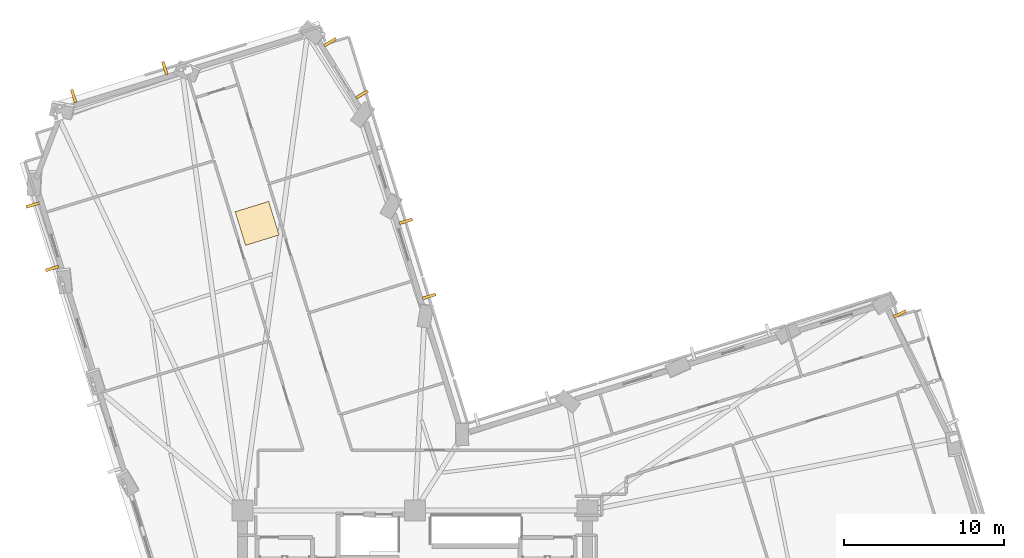
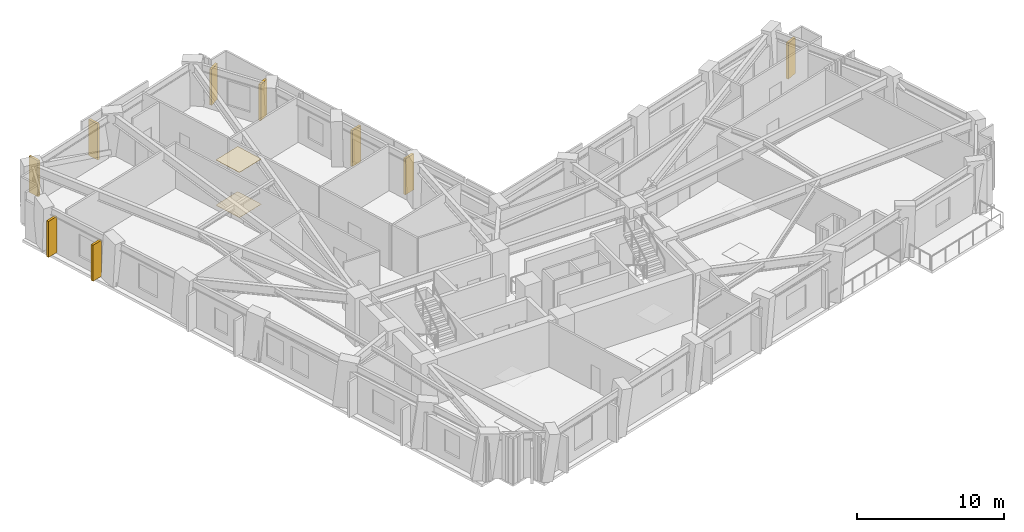
# One storey, part 13 of 14: 9 shading devices, 2 coverings.
"""IFC4 building model written with IfcOpenShell, lengths in metres."""

from ifc_helpers import new_model, si_unit, direction, frame, origin, origin_2d, place, context, subcontext, project, spatial, rectangle, extrude, material, layer, layer_set, type_object, element, save


model = new_model("IFC4")

# Units and contexts
model_context = context("Model", 3, precision=1e-05, world=origin(), true_north=direction((0.0, 1.0)))
body_context = subcontext(model_context, "Body", "Model", "MODEL_VIEW")
ifc_project = project(units=[si_unit("LENGTHUNIT", "METRE"), si_unit("AREAUNIT", "SQUARE_METRE"), si_unit("VOLUMEUNIT", "CUBIC_METRE"), si_unit("PLANEANGLEUNIT", "RADIAN"), si_unit("MASSUNIT", "GRAM", prefix="KILO")], contexts=[model_context])

# Site, building, storey
site_placement = place(None, origin())
site = spatial("IfcSite", under=ifc_project, at=site_placement, CompositionType="ELEMENT")
building_placement = place(site_placement, origin())
building = spatial("IfcBuilding", under=site, at=building_placement, Name="Gaonmaruhae Medical Tower", CompositionType="ELEMENT")
storey_placement = place(building_placement, frame((0.0, 0.0, 96.39990234375)))
storey = spatial("IfcBuildingStorey", under=building, at=storey_placement, Name="L22", CompositionType="ELEMENT", Elevation=96.39990234375)

# Coverings
ifc_material_1 = material(Name="Acoustic mineral ceiling tile", Category="finish")
ifc_layer_1 = layer(ifc_material_1, 0.02490234375)
ifc_layer_set_1 = layer_set([ifc_layer_1], Name="Acoustic mineral ceiling tile")
covering_type_1 = type_object("IfcCoveringType", Name="CLG-01 Antimicrobial Acoustic Mineral Ceiling", PredefinedType="CEILING", material=ifc_layer_set_1)
covering_1_placement = place(storey_placement, frame((14.9169921875, 34.771484375, 3.755126953125), z_axis=(0.0, 0.0, 1.0), x_axis=(0.955793014798, 0.294040325232, 0.0)))
element("IfcCovering", 1, at=covering_1_placement, inside=storey, type_object=covering_type_1, Name="L22 Clinical Corridor Acoustic Ceiling", PredefinedType="CEILING", context=body_context, shape_type="SweptSolid", body=[
    extrude(rectangle(XDim=2.199951171875, YDim=2.199951171875, at=origin_2d()), origin(), (0.0, 0.0, 1.0), 0.02490234375),
])
ifc_material_2 = material(Name="Seamless clinical vinyl flooring", Category="finish")
ifc_layer_2 = layer(ifc_material_2, 0.014892578125)
ifc_layer_set_2 = layer_set([ifc_layer_2], Name="Seamless clinical vinyl flooring")
covering_type_2 = type_object("IfcCoveringType", Name="FLR-01 Seamless Clinical Antistatic Vinyl Flooring", PredefinedType="FLOORING", material=ifc_layer_set_2)
covering_2_placement = place(storey_placement, frame((14.9169921875, 34.771484375, 0.00048828125), z_axis=(0.0, 0.0, 1.0), x_axis=(0.955793014798, 0.294040325232, 0.0)))
element("IfcCovering", 2, at=covering_2_placement, inside=storey, type_object=covering_type_2, Name="L22 Clinical Corridor Vinyl Flooring", PredefinedType="FLOORING", context=body_context, shape_type="SweptSolid", body=[
    extrude(rectangle(XDim=2.199951171875, YDim=2.199951171875, at=origin_2d()), origin(), (0.0, 0.0, 1.0), 0.014892578125),
])

# Shading devices
ifc_material_3 = material(Name="Pigmented coral precast concrete C45/55", Category="concrete")
shading_device_type = type_object("IfcShadingDeviceType", Name="SD-FIN1 Tower Vertical Coral Precast Shading Fin", PredefinedType="USERDEFINED", material=ifc_material_3)
for number, where, z_axis, x_axis, name in (
    (3, (55.14501953125, 29.10009765625, 0.08251953125), (0.0, 0.0, 1.0), (0.436660480774, -0.899626380522, 0.0), "L22 Vertical Coral Precast Shading Fin E02"),
    (4, (24.22998046875, 34.90283203125, 0.08251953125), (0.0, 0.0, 1.0), (0.294040325232, -0.955793014798, 0.0), "L22 Vertical Coral Precast Shading Fin NE01"),
    (5, (25.677490234375, 30.19775390625, 0.08251953125), (0.0, 0.0, 1.0), (0.294040325232, -0.955793014798, 0.0), "L22 Vertical Coral Precast Shading Fin NE01B"),
    (6, (19.4833984375, 46.107666015625, 0.08251953125), (0.0, 0.0, 1.0), (0.522215789807, -0.852813384555, 0.0), "L22 Vertical Coral Precast Shading Fin NE03"),
    (7, (21.482666015625, 42.8427734375, 0.08251953125), (0.0, 0.0, 1.0), (0.522215789807, -0.852813384555, 0.0), "L22 Vertical Coral Precast Shading Fin NE03B"),
    (8, (3.434814453125, 42.73828125, 0.08251953125), (0.0, 0.0, 1.0), (0.955793014798, 0.294040325232, 0.0), "L22 Vertical Coral Precast Shading Fin N02"),
    (9, (9.14111328125, 44.49365234375, 0.08251953125), (0.0, 0.0, 1.0), (0.955793014798, 0.294040325232, 0.0), "L22 Vertical Coral Precast Shading Fin N02B"),
    (10, (2.0888671875, 31.952392578125, 0.08251953125), (0.0, 0.0, 1.0), (-0.294023643452, 0.955798146625, 0.0), "L22 Vertical Coral Precast Shading Fin W01"),
    (11, (0.866943359375, 35.92431640625, 0.08251953125), (0.0, 0.0, 1.0), (-0.294023643452, 0.955798146625, 0.0), "L22 Vertical Coral Precast Shading Fin W01B"),
):
    element("IfcShadingDevice", number, at=place(storey_placement, frame(where, z_axis=z_axis, x_axis=x_axis)), inside=storey, type_object=shading_device_type, Name=name, ObjectType="FIN", PredefinedType="USERDEFINED", context=body_context, shape_type="SweptSolid", body=[
        extrude(rectangle(XDim=0.179931640625, YDim=0.85009765625, at=origin_2d()), origin(), (0.0, 0.0, 1.0), 3.0),
    ])

save(model, "model.ifc")
